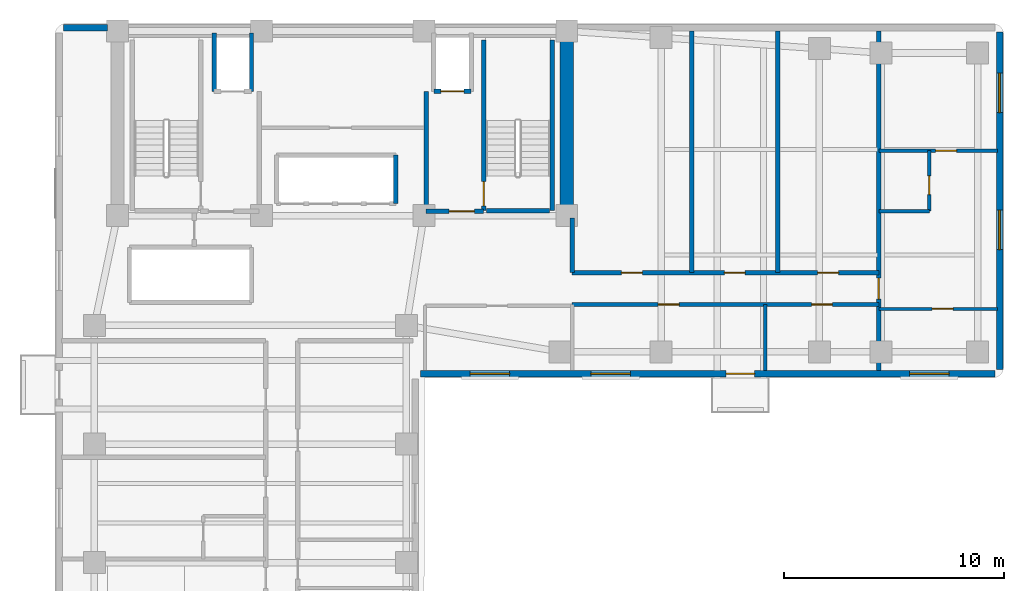
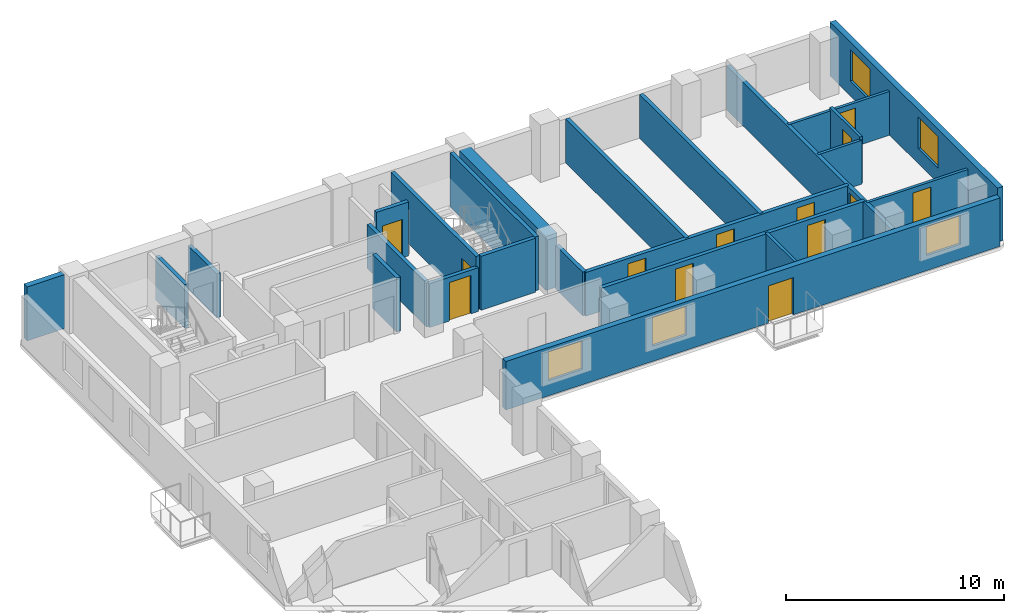
# One storey, part 4 of 7: 24 walls, 13 doors, 5 windows, 18 openings.
"""IFC4 building model written with IfcOpenShell, lengths in metres."""

from ifc_helpers import new_model, si_unit, direction, frame, frame_2d, origin, place, context, subcontext, project, spatial, rectangle, extrude, material, layer, layer_set, type_object, element, fill, save


model = new_model("IFC4")

# Units and contexts
model_context = context("Model", 3, precision=1e-05, world=origin(), true_north=direction((0.0, 1.0)))
body_context = subcontext(model_context, "Body", "Model", "MODEL_VIEW")
ifc_project = project(units=[si_unit("LENGTHUNIT", "METRE"), si_unit("AREAUNIT", "SQUARE_METRE"), si_unit("VOLUMEUNIT", "CUBIC_METRE"), si_unit("PLANEANGLEUNIT", "RADIAN"), si_unit("MASSUNIT", "GRAM", prefix="KILO")], contexts=[model_context])

# Site, building, storey
site_placement = place(None, origin())
site = spatial("IfcSite", under=ifc_project, at=site_placement, CompositionType="ELEMENT")
building_placement = place(site_placement, origin())
building = spatial("IfcBuilding", under=site, at=building_placement, Name="Kuzgunbayir Cultural Tower", CompositionType="ELEMENT")
storey_placement = place(building_placement, frame((0.0, 0.0, 136.199951171875)))
storey = spatial("IfcBuildingStorey", under=building, at=storey_placement, Name="L39", CompositionType="ELEMENT", Elevation=136.199951171875)

# Walls
ifc_material_1 = material(Name="Concrete C60/75", Category="concrete")
ifc_layer_1 = layer(ifc_material_1, 0.60009765625)
ifc_layer_set_1 = layer_set([ifc_layer_1], Name="Concrete C60/75")
wall_type_1 = type_object("IfcWallType", Name="WAL-CORE-600", PredefinedType="SHEAR", material=ifc_layer_set_1)
wall_1_placement = place(storey_placement, frame((26.89990234375, 33.800048828125, 0.0), z_axis=(0.0, 0.0, 1.0), x_axis=(0.0, 1.0, 0.0)))
element("IfcWall", 1, at=wall_1_placement, inside=storey, type_object=wall_type_1, Name="L39 T1 Core East Shear Wall", PredefinedType="SHEAR", context=body_context, shape_type="SweptSolid", body=[
    extrude(rectangle(XDim=7.949951171875, YDim=0.60009765625, at=frame_2d((3.97509765625, 0.0))), origin(), (0.0, 0.0, 1.0), 3.02001953125),
])
ifc_material_2 = material(Name="Anatolian Cream Limestone", Category="masonry")
ifc_layer_2 = layer(ifc_material_2, 0.300048828125)
ifc_layer_set_2 = layer_set([ifc_layer_2], Name="Anatolian Cream Limestone")
wall_type_2 = type_object("IfcWallType", Name="WAL-EXT-STONE-300", PredefinedType="STANDARD", material=ifc_layer_set_2)
wall_2_placement = place(storey_placement, frame((6.0, 42.35009765625, 0.0), z_axis=(0.0, 0.0, 1.0), x_axis=(-1.0, 0.0, 0.0)))
element("IfcWall", 2, at=wall_2_placement, inside=storey, type_object=wall_type_2, Name="L39 Core North-West Spandrel Link", PredefinedType="STANDARD", context=body_context, shape_type="SweptSolid", body=[
    extrude(rectangle(XDim=2.0, YDim=0.300048828125, at=frame_2d((1.0, 0.0))), origin(), (0.0, 0.0, 1.0), 3.02001953125),
])

# Wall, openings, door, windows
wall_3_placement = place(storey_placement, frame((20.25, 26.60009765625, 0.0), z_axis=(0.0, 0.0, 1.0), x_axis=(1.0, 0.0, 0.0)))
wall_3 = element("IfcWall", 3, at=wall_3_placement, inside=storey, type_object=wall_type_2, Name="L39 Wing B South Limestone Wall", PredefinedType="STANDARD", context=body_context, shape_type="SweptSolid", body=[
    extrude(rectangle(XDim=26.14990234375, YDim=0.300048828125, at=frame_2d((13.074951171875, 0.0))), origin(), (0.0, 0.0, 1.0), 2.7099609375),
])
opening_1_placement = place(wall_3_placement, frame((13.89990234375, 0.0, 0.0)))
opening_1 = element("IfcOpeningElement", 4, at=opening_1_placement, cuts=wall_3, Name="Opening BD-13", PredefinedType="OPENING", context=body_context, shape_type="SweptSolid", body=[
    extrude(rectangle(XDim=1.300048828125, YDim=2.080078125, at=frame_2d((0.64990234375, 1.0400390625))), frame((0.0, 0.16015625, 0.0), z_axis=(0.0, -1.0, 0.0), x_axis=(1.0, 0.0, 0.0)), (0.0, 0.0, 1.0), 0.320068359375),
])
opening_2_placement = place(wall_3_placement, frame((2.25, 0.0, 0.85009765625)))
opening_2 = element("IfcOpeningElement", 5, at=opening_2_placement, cuts=wall_3, Name="Opening WH-18", PredefinedType="OPENING", context=body_context, shape_type="SweptSolid", body=[
    extrude(rectangle(XDim=1.800048828125, YDim=1.610107421875, at=frame_2d((0.89990234375, 0.80517578125))), frame((0.0, 0.16015625, 0.0), z_axis=(0.0, -1.0, 0.0), x_axis=(1.0, 0.0, 0.0)), (0.0, 0.0, 1.0), 0.320068359375),
])
opening_3_placement = place(wall_3_placement, frame((7.75, 0.0, 0.85009765625)))
opening_3 = element("IfcOpeningElement", 6, at=opening_3_placement, cuts=wall_3, Name="Opening WH-18", PredefinedType="OPENING", context=body_context, shape_type="SweptSolid", body=[
    extrude(rectangle(XDim=1.800048828125, YDim=1.610107421875, at=frame_2d((0.89990234375, 0.80517578125))), frame((0.0, 0.16015625, 0.0), z_axis=(0.0, -1.0, 0.0), x_axis=(1.0, 0.0, 0.0)), (0.0, 0.0, 1.0), 0.320068359375),
])
opening_4_placement = place(wall_3_placement, frame((22.25, 0.0, 0.85009765625)))
opening_4 = element("IfcOpeningElement", 7, at=opening_4_placement, cuts=wall_3, Name="Opening WH-18", PredefinedType="OPENING", context=body_context, shape_type="SweptSolid", body=[
    extrude(rectangle(XDim=1.800048828125, YDim=1.610107421875, at=frame_2d((0.89990234375, 0.80517578125))), frame((0.0, 0.16015625, 0.0), z_axis=(0.0, -1.0, 0.0), x_axis=(1.0, 0.0, 0.0)), (0.0, 0.0, 1.0), 0.320068359375),
])
ifc_material_3 = material(Name="Thermally Broken Glazed Aluminium", Category="aluminium")
door_type_1 = type_object("IfcDoorType", Name="DR-BALCONY-135", OperationType="SLIDING_TO_LEFT", PredefinedType="DOOR", material=ifc_material_3)
door_1_placement = place(opening_1_placement, origin())
door_1 = element("IfcDoor", 8, at=door_1_placement, inside=storey, type_object=door_type_1, Name="L39 South Balcony Sliding Door BAL-L39-WB2", OperationType="SLIDING_TO_LEFT", OverallHeight=2.080078125, OverallWidth=1.300048828125, PredefinedType="DOOR", context=body_context, shape_type="SweptSolid", body=[
    extrude(rectangle(XDim=1.300048828125, YDim=2.080078125, at=frame_2d((0.64990234375, 1.0400390625))), frame((0.0, 0.02490234375, 0.0), z_axis=(0.0, -1.0, 0.0), x_axis=(1.0, 0.0, 0.0)), (0.0, 0.0, 1.0), 0.050048828125),
])
fill(opening_1, door_1)
ifc_material_4 = material(Name="Solar-Control Triple Glazing", Category="glass")
window_type = type_object("IfcWindowType", Name="WIN-HOTEL-18", PartitioningType="SINGLE_PANEL", PredefinedType="WINDOW", material=ifc_material_4)
window_1_placement = place(opening_2_placement, origin())
window_1 = element("IfcWindow", 9, at=window_1_placement, inside=storey, type_object=window_type, Name="L39 WBS Facade Window 10", OverallHeight=1.610107421875, OverallWidth=1.800048828125, PartitioningType="SINGLE_PANEL", PredefinedType="WINDOW", context=body_context, shape_type="SweptSolid", body=[
    extrude(rectangle(XDim=1.800048828125, YDim=1.610107421875, at=frame_2d((0.89990234375, 0.80517578125))), frame((0.0, 0.030029296875, 0.0), z_axis=(0.0, -1.0, 0.0), x_axis=(1.0, 0.0, 0.0)), (0.0, 0.0, 1.0), 0.06005859375),
])
fill(opening_2, window_1)
window_2_placement = place(opening_3_placement, origin())
window_2 = element("IfcWindow", 10, at=window_2_placement, inside=storey, type_object=window_type, Name="L39 WBS Facade Window 11", OverallHeight=1.610107421875, OverallWidth=1.800048828125, PartitioningType="SINGLE_PANEL", PredefinedType="WINDOW", context=body_context, shape_type="SweptSolid", body=[
    extrude(rectangle(XDim=1.800048828125, YDim=1.610107421875, at=frame_2d((0.89990234375, 0.80517578125))), frame((0.0, 0.030029296875, 0.0), z_axis=(0.0, -1.0, 0.0), x_axis=(1.0, 0.0, 0.0)), (0.0, 0.0, 1.0), 0.06005859375),
])
fill(opening_3, window_2)
window_3_placement = place(opening_4_placement, origin())
window_3 = element("IfcWindow", 11, at=window_3_placement, inside=storey, type_object=window_type, Name="L39 WBS Facade Window 12", OverallHeight=1.610107421875, OverallWidth=1.800048828125, PartitioningType="SINGLE_PANEL", PredefinedType="WINDOW", context=body_context, shape_type="SweptSolid", body=[
    extrude(rectangle(XDim=1.800048828125, YDim=1.610107421875, at=frame_2d((0.89990234375, 0.80517578125))), frame((0.0, 0.030029296875, 0.0), z_axis=(0.0, -1.0, 0.0), x_axis=(1.0, 0.0, 0.0)), (0.0, 0.0, 1.0), 0.06005859375),
])
fill(opening_4, window_3)

# Wall, openings, windows
wall_4_placement = place(storey_placement, frame((46.60009765625, 26.800048828125, 0.0), z_axis=(0.0, 0.0, 1.0), x_axis=(0.0, 1.0, 0.0)))
wall_4 = element("IfcWall", 12, at=wall_4_placement, inside=storey, type_object=wall_type_2, Name="L39 Wing B East Limestone Wall", PredefinedType="STANDARD", context=body_context, shape_type="SweptSolid", body=[
    extrude(rectangle(XDim=15.349853515625, YDim=0.300048828125, at=frame_2d((7.6748046875, 0.0))), origin(), (0.0, 0.0, 1.0), 3.02001953125),
])
opening_5_placement = place(wall_4_placement, frame((5.449951171875, 0.0, 0.85009765625)))
opening_5 = element("IfcOpeningElement", 13, at=opening_5_placement, cuts=wall_4, Name="Opening WH-18", PredefinedType="OPENING", context=body_context, shape_type="SweptSolid", body=[
    extrude(rectangle(XDim=1.800048828125, YDim=1.75, at=frame_2d((0.89990234375, 0.875))), frame((0.0, 0.16015625, 0.0), z_axis=(0.0, -1.0, 0.0), x_axis=(1.0, 0.0, 0.0)), (0.0, 0.0, 1.0), 0.320068359375),
])
opening_6_placement = place(wall_4_placement, frame((11.679931640625, 0.0, 0.85009765625)))
opening_6 = element("IfcOpeningElement", 14, at=opening_6_placement, cuts=wall_4, Name="Opening WH-18", PredefinedType="OPENING", context=body_context, shape_type="SweptSolid", body=[
    extrude(rectangle(XDim=1.800048828125, YDim=1.75, at=frame_2d((0.89990234375, 0.875))), frame((0.0, 0.16015625, 0.0), z_axis=(0.0, -1.0, 0.0), x_axis=(1.0, 0.0, 0.0)), (0.0, 0.0, 1.0), 0.320068359375),
])
window_4_placement = place(opening_5_placement, origin())
window_4 = element("IfcWindow", 15, at=window_4_placement, inside=storey, type_object=window_type, Name="L39 WBE Facade Window 4", OverallHeight=1.75, OverallWidth=1.800048828125, PartitioningType="SINGLE_PANEL", PredefinedType="WINDOW", context=body_context, shape_type="SweptSolid", body=[
    extrude(rectangle(XDim=1.800048828125, YDim=1.75, at=frame_2d((0.89990234375, 0.875))), frame((0.0, 0.030029296875, 0.0), z_axis=(0.0, -1.0, 0.0), x_axis=(1.0, 0.0, 0.0)), (0.0, 0.0, 1.0), 0.06005859375),
])
fill(opening_5, window_4)
window_5_placement = place(opening_6_placement, origin())
window_5 = element("IfcWindow", 16, at=window_5_placement, inside=storey, type_object=window_type, Name="L39 WBE Facade Window 5", OverallHeight=1.75, OverallWidth=1.800048828125, PartitioningType="SINGLE_PANEL", PredefinedType="WINDOW", context=body_context, shape_type="SweptSolid", body=[
    extrude(rectangle(XDim=1.800048828125, YDim=1.75, at=frame_2d((0.89990234375, 0.875))), frame((0.0, 0.030029296875, 0.0), z_axis=(0.0, -1.0, 0.0), x_axis=(1.0, 0.0, 0.0)), (0.0, 0.0, 1.0), 0.06005859375),
])
fill(opening_6, window_5)

# Wall, opening, door
ifc_material_5 = material(Name="Acoustic Double-Stud Drywall", Category="gypsum")
ifc_layer_3 = layer(ifc_material_5, 0.14990234375)
ifc_layer_set_3 = layer_set([ifc_layer_3], Name="Acoustic Double-Stud Drywall")
wall_type_3 = type_object("IfcWallType", Name="WAL-PART-ACOUSTIC-150", PredefinedType="PARTITIONING", material=ifc_layer_set_3)
wall_5_placement = place(storey_placement, frame((41.10009765625, 36.75, 0.0), z_axis=(0.0, 0.0, 1.0), x_axis=(1.0, 0.0, 0.0)))
wall_5 = element("IfcWall", 17, at=wall_5_placement, inside=storey, type_object=wall_type_3, Name="L39 Corner Suite Bedroom Wall", PredefinedType="PARTITIONING", context=body_context, shape_type="SweptSolid", body=[
    extrude(rectangle(XDim=5.39990234375, YDim=0.14990234375, at=frame_2d((2.699951171875, 0.0))), origin(), (0.0, 0.0, 1.0), 2.449951171875),
])
opening_7_placement = place(wall_5_placement, frame((2.590087890625, 0.0, 0.0)))
opening_7 = element("IfcOpeningElement", 18, at=opening_7_placement, cuts=wall_5, Name="Opening DI-90", PredefinedType="OPENING", context=body_context, shape_type="SweptSolid", body=[
    extrude(rectangle(XDim=0.949951171875, YDim=2.14990234375, at=frame_2d((0.47509765625, 1.074951171875))), frame((0.0, 0.0849609375, 0.0), z_axis=(0.0, -1.0, 0.0), x_axis=(1.0, 0.0, 0.0)), (0.0, 0.0, 1.0), 0.169921875),
])
ifc_material_6 = material(Name="Veneered Oak Single Leaf", Category="wood")
door_type_2 = type_object("IfcDoorType", Name="DR-INT-90", OperationType="NOTDEFINED", PredefinedType="DOOR", material=ifc_material_6)
door_2_placement = place(opening_7_placement, origin())
door_2 = element("IfcDoor", 19, at=door_2_placement, inside=storey, type_object=door_type_2, Name="L39 Corner Bedroom Door", OperationType="SINGLE_SWING_LEFT", OverallHeight=2.14990234375, OverallWidth=0.949951171875, PredefinedType="DOOR", context=body_context, shape_type="SweptSolid", body=[
    extrude(rectangle(XDim=0.949951171875, YDim=2.14990234375, at=frame_2d((0.47509765625, 1.074951171875))), frame((0.0, 0.02490234375, 0.0), z_axis=(0.0, -1.0, 0.0), x_axis=(1.0, 0.0, 0.0)), (0.0, 0.0, 1.0), 0.050048828125),
])
fill(opening_7, door_2)

# Walls
wall_6_placement = place(storey_placement, frame((35.93994140625, 26.75, 0.0), z_axis=(0.0, 0.0, 1.0), x_axis=(0.0, 1.0, 0.0)))
element("IfcWall", 20, at=wall_6_placement, inside=storey, type_object=wall_type_3, Name="L39 Wing B South Divider 1", PredefinedType="PARTITIONING", context=body_context, shape_type="SweptSolid", body=[
    extrude(rectangle(XDim=3.0, YDim=0.14990234375, at=frame_2d((1.5, 0.0))), origin(), (0.0, 0.0, 1.0), 2.449951171875),
])
ifc_material_7 = material(Name="Aerated Concrete Blockwork", Category="masonry")
ifc_layer_4 = layer(ifc_material_7, 0.199951171875)
ifc_layer_set_4 = layer_set([ifc_layer_4], Name="Aerated Concrete Blockwork")
wall_type_4 = type_object("IfcWallType", Name="WAL-PART-FIRE-200", PredefinedType="PARTITIONING", material=ifc_layer_set_4)
wall_7_placement = place(storey_placement, frame((20.5, 34.0, 0.0), z_axis=(0.0, 0.0, 1.0), x_axis=(0.0, 1.0, 0.0)))
element("IfcWall", 21, at=wall_7_placement, inside=storey, type_object=wall_type_4, Name="L39 FFL-2 Lobby West Fire Wall", PredefinedType="PARTITIONING", context=body_context, shape_type="SweptSolid", body=[
    extrude(rectangle(XDim=5.449951171875, YDim=0.199951171875, at=frame_2d((2.72509765625, 0.0))), origin(), (0.0, 0.0, 1.0), 2.449951171875),
])

# Wall, opening, door
wall_8_placement = place(storey_placement, frame((20.5, 34.0, 0.0), z_axis=(0.0, 0.0, 1.0), x_axis=(1.0, 0.0, 0.0)))
wall_8 = element("IfcWall", 22, at=wall_8_placement, inside=storey, type_object=wall_type_4, Name="L39 FFL-2 Lobby South Fire Wall", PredefinedType="PARTITIONING", context=body_context, shape_type="SweptSolid", body=[
    extrude(rectangle(XDim=2.60009765625, YDim=0.199951171875, at=frame_2d((1.300048828125, 0.0))), origin(), (0.0, 0.0, 1.0), 2.449951171875),
])
opening_8_placement = place(wall_8_placement, frame((1.050048828125, 0.0, 0.0)))
opening_8 = element("IfcOpeningElement", 23, at=opening_8_placement, cuts=wall_8, Name="Opening DR-FFL-90", PredefinedType="OPENING", context=body_context, shape_type="SweptSolid", body=[
    extrude(rectangle(XDim=1.14990234375, YDim=2.14990234375, at=frame_2d((0.574951171875, 1.074951171875))), frame((0.0, 0.10986328125, 0.0), z_axis=(0.0, -1.0, 0.0), x_axis=(1.0, 0.0, 0.0)), (0.0, 0.0, 1.0), 0.219970703125),
])
ifc_material_8 = material(Name="Steel S355J2", Category="steel")
door_type_3 = type_object("IfcDoorType", Name="DR-FFL-90", OperationType="NOTDEFINED", PredefinedType="DOOR", material=ifc_material_8)
door_3_placement = place(opening_8_placement, origin())
door_3 = element("IfcDoor", 24, at=door_3_placement, inside=storey, type_object=door_type_3, Name="L39 Firefighting Lobby 2 Door", OperationType="SINGLE_SWING_RIGHT", OverallHeight=2.14990234375, OverallWidth=1.14990234375, PredefinedType="DOOR", context=body_context, shape_type="SweptSolid", body=[
    extrude(rectangle(XDim=1.14990234375, YDim=2.14990234375, at=frame_2d((0.574951171875, 1.074951171875))), frame((0.0, 0.02490234375, 0.0), z_axis=(0.0, -1.0, 0.0), x_axis=(1.0, 0.0, 0.0)), (0.0, 0.0, 1.0), 0.050048828125),
])
fill(opening_8, door_3)

# Wall, openings, doors
wall_9_placement = place(storey_placement, frame((27.14990234375, 29.75, 0.0), z_axis=(0.0, 0.0, 1.0), x_axis=(1.0, 0.0, 0.0)))
wall_9 = element("IfcWall", 25, at=wall_9_placement, inside=storey, type_object=wall_type_4, Name="L39 Wing B Hotel Corridor South Wall", PredefinedType="PARTITIONING", context=body_context, shape_type="SweptSolid", body=[
    extrude(rectangle(XDim=13.9501953125, YDim=0.199951171875, at=frame_2d((6.97509765625, 0.0))), origin(), (0.0, 0.0, 1.0), 2.449951171875),
])
opening_9_placement = place(wall_9_placement, frame((3.909912109375, 0.0, 0.0)))
opening_9 = element("IfcOpeningElement", 26, at=opening_9_placement, cuts=wall_9, Name="Opening DI-90", PredefinedType="OPENING", context=body_context, shape_type="SweptSolid", body=[
    extrude(rectangle(XDim=0.949951171875, YDim=2.14990234375, at=frame_2d((0.47509765625, 1.074951171875))), frame((0.0, 0.10986328125, 0.0), z_axis=(0.0, -1.0, 0.0), x_axis=(1.0, 0.0, 0.0)), (0.0, 0.0, 1.0), 0.219970703125),
])
opening_10_placement = place(wall_9_placement, frame((10.889892578125, 0.0, 0.0)))
opening_10 = element("IfcOpeningElement", 27, at=opening_10_placement, cuts=wall_9, Name="Opening DI-90", PredefinedType="OPENING", context=body_context, shape_type="SweptSolid", body=[
    extrude(rectangle(XDim=0.949951171875, YDim=2.14990234375, at=frame_2d((0.47509765625, 1.074951171875))), frame((0.0, 0.10986328125, 0.0), z_axis=(0.0, -1.0, 0.0), x_axis=(1.0, 0.0, 0.0)), (0.0, 0.0, 1.0), 0.219970703125),
])
door_4_placement = place(opening_9_placement, origin())
door_4 = element("IfcDoor", 28, at=door_4_placement, inside=storey, type_object=door_type_2, Name="L39 Art Publication Salon B1 Door", OperationType="SINGLE_SWING_RIGHT", OverallHeight=2.14990234375, OverallWidth=0.949951171875, PredefinedType="DOOR", context=body_context, shape_type="SweptSolid", body=[
    extrude(rectangle(XDim=0.949951171875, YDim=2.14990234375, at=frame_2d((0.47509765625, 1.074951171875))), frame((0.0, 0.02490234375, 0.0), z_axis=(0.0, -1.0, 0.0), x_axis=(1.0, 0.0, 0.0)), (0.0, 0.0, 1.0), 0.050048828125),
])
fill(opening_9, door_4)
door_5_placement = place(opening_10_placement, origin())
door_5 = element("IfcDoor", 29, at=door_5_placement, inside=storey, type_object=door_type_2, Name="L39 Art Publication Salon B2 Door", OperationType="SINGLE_SWING_LEFT", OverallHeight=2.14990234375, OverallWidth=0.949951171875, PredefinedType="DOOR", context=body_context, shape_type="SweptSolid", body=[
    extrude(rectangle(XDim=0.949951171875, YDim=2.14990234375, at=frame_2d((0.47509765625, 1.074951171875))), frame((0.0, 0.02490234375, 0.0), z_axis=(0.0, -1.0, 0.0), x_axis=(1.0, 0.0, 0.0)), (0.0, 0.0, 1.0), 0.050048828125),
])
fill(opening_10, door_5)

wall_10_placement = place(storey_placement, frame((27.14990234375, 31.199951171875, 0.0), z_axis=(0.0, 0.0, 1.0), x_axis=(1.0, 0.0, 0.0)))
wall_10 = element("IfcWall", 30, at=wall_10_placement, inside=storey, type_object=wall_type_4, Name="L39 Wing B Hotel Corridor North Wall", PredefinedType="PARTITIONING", context=body_context, shape_type="SweptSolid", body=[
    extrude(rectangle(XDim=13.9501953125, YDim=0.199951171875, at=frame_2d((6.97509765625, 0.0))), origin(), (0.0, 0.0, 1.0), 2.449951171875),
])
opening_11_placement = place(wall_10_placement, frame((2.239990234375, 0.0, 0.0)))
opening_11 = element("IfcOpeningElement", 31, at=opening_11_placement, cuts=wall_10, Name="Opening DI-90", PredefinedType="OPENING", context=body_context, shape_type="SweptSolid", body=[
    extrude(rectangle(XDim=0.949951171875, YDim=2.14990234375, at=frame_2d((0.47509765625, 1.074951171875))), frame((0.0, 0.10986328125, 0.0), z_axis=(0.0, -1.0, 0.0), x_axis=(1.0, 0.0, 0.0)), (0.0, 0.0, 1.0), 0.219970703125),
])
opening_12_placement = place(wall_10_placement, frame((6.919921875, 0.0, 0.0)))
opening_12 = element("IfcOpeningElement", 32, at=opening_12_placement, cuts=wall_10, Name="Opening DI-90", PredefinedType="OPENING", context=body_context, shape_type="SweptSolid", body=[
    extrude(rectangle(XDim=0.949951171875, YDim=2.14990234375, at=frame_2d((0.47509765625, 1.074951171875))), frame((0.0, 0.10986328125, 0.0), z_axis=(0.0, -1.0, 0.0), x_axis=(1.0, 0.0, 0.0)), (0.0, 0.0, 1.0), 0.219970703125),
])
opening_13_placement = place(wall_10_placement, frame((11.169921875, 0.0, 0.0)))
opening_13 = element("IfcOpeningElement", 33, at=opening_13_placement, cuts=wall_10, Name="Opening DI-90", PredefinedType="OPENING", context=body_context, shape_type="SweptSolid", body=[
    extrude(rectangle(XDim=0.949951171875, YDim=2.14990234375, at=frame_2d((0.47509765625, 1.074951171875))), frame((0.0, 0.10986328125, 0.0), z_axis=(0.0, -1.0, 0.0), x_axis=(1.0, 0.0, 0.0)), (0.0, 0.0, 1.0), 0.219970703125),
])
door_6_placement = place(opening_11_placement, origin())
door_6 = element("IfcDoor", 34, at=door_6_placement, inside=storey, type_object=door_type_2, Name="L39 North Art Publication Salon 1 Door", OperationType="SINGLE_SWING_RIGHT", OverallHeight=2.14990234375, OverallWidth=0.949951171875, PredefinedType="DOOR", context=body_context, shape_type="SweptSolid", body=[
    extrude(rectangle(XDim=0.949951171875, YDim=2.14990234375, at=frame_2d((0.47509765625, 1.074951171875))), frame((0.0, 0.02490234375, 0.0), z_axis=(0.0, -1.0, 0.0), x_axis=(1.0, 0.0, 0.0)), (0.0, 0.0, 1.0), 0.050048828125),
])
fill(opening_11, door_6)
door_7_placement = place(opening_12_placement, origin())
door_7 = element("IfcDoor", 35, at=door_7_placement, inside=storey, type_object=door_type_2, Name="L39 North Curatorial Office 2 Door", OperationType="SINGLE_SWING_LEFT", OverallHeight=2.14990234375, OverallWidth=0.949951171875, PredefinedType="DOOR", context=body_context, shape_type="SweptSolid", body=[
    extrude(rectangle(XDim=0.949951171875, YDim=2.14990234375, at=frame_2d((0.47509765625, 1.074951171875))), frame((0.0, 0.02490234375, 0.0), z_axis=(0.0, -1.0, 0.0), x_axis=(1.0, 0.0, 0.0)), (0.0, 0.0, 1.0), 0.050048828125),
])
fill(opening_12, door_7)
door_8_placement = place(opening_13_placement, origin())
door_8 = element("IfcDoor", 36, at=door_8_placement, inside=storey, type_object=door_type_2, Name="L39 North Seminar Boardroom 3 Door", OperationType="SINGLE_SWING_RIGHT", OverallHeight=2.14990234375, OverallWidth=0.949951171875, PredefinedType="DOOR", context=body_context, shape_type="SweptSolid", body=[
    extrude(rectangle(XDim=0.949951171875, YDim=2.14990234375, at=frame_2d((0.47509765625, 1.074951171875))), frame((0.0, 0.02490234375, 0.0), z_axis=(0.0, -1.0, 0.0), x_axis=(1.0, 0.0, 0.0)), (0.0, 0.0, 1.0), 0.050048828125),
])
fill(opening_13, door_8)

# Wall
wall_11_placement = place(storey_placement, frame((27.14990234375, 31.199951171875, 0.0), z_axis=(0.0, 0.0, 1.0), x_axis=(0.0, 1.0, 0.0)))
element("IfcWall", 37, at=wall_11_placement, inside=storey, type_object=wall_type_4, Name="L39 Wing B North Core Closure Wall", PredefinedType="PARTITIONING", context=body_context, shape_type="SweptSolid", body=[
    extrude(rectangle(XDim=2.47998046875, YDim=0.199951171875, at=frame_2d((1.239990234375, 0.0))), origin(), (0.0, 0.0, 1.0), 2.449951171875),
])

# Wall, opening, door
wall_12_placement = place(storey_placement, frame((41.10009765625, 26.75, 0.0), z_axis=(0.0, 0.0, 1.0), x_axis=(0.0, 1.0, 0.0)))
wall_12 = element("IfcWall", 38, at=wall_12_placement, inside=storey, type_object=wall_type_4, Name="L39 Wing B East Suite Wall", PredefinedType="PARTITIONING", context=body_context, shape_type="SweptSolid", body=[
    extrude(rectangle(XDim=15.449951171875, YDim=0.199951171875, at=frame_2d((7.72509765625, 0.0))), origin(), (0.0, 0.0, 1.0), 2.449951171875),
])
opening_14_placement = place(wall_12_placement, frame((3.25, 0.0, 0.0)))
opening_14 = element("IfcOpeningElement", 39, at=opening_14_placement, cuts=wall_12, Name="Opening DR-APT-60", PredefinedType="OPENING", context=body_context, shape_type="SweptSolid", body=[
    extrude(rectangle(XDim=0.949951171875, YDim=2.14990234375, at=frame_2d((0.47509765625, 1.074951171875))), frame((0.0, 0.10986328125, 0.0), z_axis=(0.0, -1.0, 0.0), x_axis=(1.0, 0.0, 0.0)), (0.0, 0.0, 1.0), 0.219970703125),
])
ifc_material_9 = material(Name="Acoustic Fire Timber Leaf", Category="wood")
door_type_4 = type_object("IfcDoorType", Name="DR-APT-60", OperationType="NOTDEFINED", PredefinedType="DOOR", material=ifc_material_9)
door_9_placement = place(opening_14_placement, origin())
door_9 = element("IfcDoor", 40, at=door_9_placement, inside=storey, type_object=door_type_4, Name="L39 Corner Suite Entrance", OperationType="SINGLE_SWING_RIGHT", OverallHeight=2.14990234375, OverallWidth=0.949951171875, PredefinedType="DOOR", context=body_context, shape_type="SweptSolid", body=[
    extrude(rectangle(XDim=0.949951171875, YDim=2.14990234375, at=frame_2d((0.47509765625, 1.074951171875))), frame((0.0, 0.02490234375, 0.0), z_axis=(0.0, -1.0, 0.0), x_axis=(1.0, 0.0, 0.0)), (0.0, 0.0, 1.0), 0.050048828125),
])
fill(opening_14, door_9)

# Walls
for number, where, z_axis, x_axis, name in (
    (41, (32.590087890625, 31.199951171875, 0.0), (0.0, 0.0, 1.0), (0.0, 1.0, 0.0), "L39 Wing B North Party Wall 1"),
    (42, (36.5, 31.199951171875, 0.0), (0.0, 0.0, 1.0), (0.0, 1.0, 0.0), "L39 Wing B North Party Wall 2"),
):
    element("IfcWall", number, at=place(storey_placement, frame(where, z_axis=z_axis, x_axis=x_axis)), inside=storey, type_object=wall_type_4, Name=name, PredefinedType="PARTITIONING", context=body_context, shape_type="SweptSolid", body=[
        extrude(rectangle(XDim=11.0, YDim=0.199951171875, at=frame_2d((5.5, 0.0))), origin(), (0.0, 0.0, 1.0), 2.449951171875),
    ])

# Wall, opening, door
ifc_material_10 = material(Name="Moisture-Resistant Tile Partition", Category="gypsum")
ifc_layer_5 = layer(ifc_material_10, 0.14990234375)
ifc_layer_set_5 = layer_set([ifc_layer_5], Name="Moisture-Resistant Tile Partition")
wall_type_5 = type_object("IfcWallType", Name="WAL-PART-WET-150", PredefinedType="PARTITIONING", material=ifc_layer_set_5)
wall_13_placement = place(storey_placement, frame((41.10009765625, 29.550048828125, 0.0), z_axis=(0.0, 0.0, 1.0), x_axis=(1.0, 0.0, 0.0)))
wall_13 = element("IfcWall", 43, at=wall_13_placement, inside=storey, type_object=wall_type_5, Name="L39 Corner Suite Kitchen Wall", PredefinedType="PARTITIONING", context=body_context, shape_type="SweptSolid", body=[
    extrude(rectangle(XDim=5.39990234375, YDim=0.14990234375, at=frame_2d((2.699951171875, 0.0))), origin(), (0.0, 0.0, 1.0), 2.449951171875),
])
opening_15_placement = place(wall_13_placement, frame((2.429931640625, 0.0, 0.0)))
opening_15 = element("IfcOpeningElement", 44, at=opening_15_placement, cuts=wall_13, Name="Opening DI-90", PredefinedType="OPENING", context=body_context, shape_type="SweptSolid", body=[
    extrude(rectangle(XDim=0.949951171875, YDim=2.14990234375, at=frame_2d((0.47509765625, 1.074951171875))), frame((0.0, 0.0849609375, 0.0), z_axis=(0.0, -1.0, 0.0), x_axis=(1.0, 0.0, 0.0)), (0.0, 0.0, 1.0), 0.169921875),
])
door_10_placement = place(opening_15_placement, origin())
door_10 = element("IfcDoor", 45, at=door_10_placement, inside=storey, type_object=door_type_2, Name="L39 Corner Suite Kitchen Door", OperationType="SINGLE_SWING_LEFT", OverallHeight=2.14990234375, OverallWidth=0.949951171875, PredefinedType="DOOR", context=body_context, shape_type="SweptSolid", body=[
    extrude(rectangle(XDim=0.949951171875, YDim=2.14990234375, at=frame_2d((0.47509765625, 1.074951171875))), frame((0.0, 0.02490234375, 0.0), z_axis=(0.0, -1.0, 0.0), x_axis=(1.0, 0.0, 0.0)), (0.0, 0.0, 1.0), 0.050048828125),
])
fill(opening_15, door_10)

# Wall
wall_14_placement = place(storey_placement, frame((41.10009765625, 34.0, 0.0), z_axis=(0.0, 0.0, 1.0), x_axis=(1.0, 0.0, 0.0)))
element("IfcWall", 46, at=wall_14_placement, inside=storey, type_object=wall_type_5, Name="L39 Corner Suite Bath South Wall", PredefinedType="PARTITIONING", context=body_context, shape_type="SweptSolid", body=[
    extrude(rectangle(XDim=2.2998046875, YDim=0.14990234375, at=frame_2d((1.14990234375, 0.0))), origin(), (0.0, 0.0, 1.0), 2.449951171875),
])

# Wall, opening, door
wall_15_placement = place(storey_placement, frame((43.39990234375, 34.0, 0.0), z_axis=(0.0, 0.0, 1.0), x_axis=(0.0, 1.0, 0.0)))
wall_15 = element("IfcWall", 47, at=wall_15_placement, inside=storey, type_object=wall_type_5, Name="L39 Corner Suite Bath East Wall", PredefinedType="PARTITIONING", context=body_context, shape_type="SweptSolid", body=[
    extrude(rectangle(XDim=2.75, YDim=0.14990234375, at=frame_2d((1.375, 0.0))), origin(), (0.0, 0.0, 1.0), 2.610107421875),
])
opening_16_placement = place(wall_15_placement, frame((0.75, 0.0, 0.0)))
opening_16 = element("IfcOpeningElement", 48, at=opening_16_placement, cuts=wall_15, Name="Opening DW-85", PredefinedType="OPENING", context=body_context, shape_type="SweptSolid", body=[
    extrude(rectangle(XDim=0.85009765625, YDim=2.10009765625, at=frame_2d((0.425048828125, 1.050048828125))), frame((0.0, 0.0849609375, 0.0), z_axis=(0.0, -1.0, 0.0), x_axis=(1.0, 0.0, 0.0)), (0.0, 0.0, 1.0), 0.169921875),
])
ifc_material_11 = material(Name="Laminate Moisture-Resistant Leaf", Category="wood")
door_type_5 = type_object("IfcDoorType", Name="DR-WET-85", OperationType="NOTDEFINED", PredefinedType="DOOR", material=ifc_material_11)
door_11_placement = place(opening_16_placement, origin())
door_11 = element("IfcDoor", 49, at=door_11_placement, inside=storey, type_object=door_type_5, Name="L39 Corner Suite Bathroom Door", OperationType="SINGLE_SWING_RIGHT", OverallHeight=2.10009765625, OverallWidth=0.85009765625, PredefinedType="DOOR", context=body_context, shape_type="SweptSolid", body=[
    extrude(rectangle(XDim=0.85009765625, YDim=2.10009765625, at=frame_2d((0.425048828125, 1.050048828125))), frame((0.0, 0.02490234375, 0.0), z_axis=(0.0, -1.0, 0.0), x_axis=(1.0, 0.0, 0.0)), (0.0, 0.0, 1.0), 0.050048828125),
])
fill(opening_16, door_11)

ifc_material_12 = material(Name="Concrete C40/50", Category="concrete")
ifc_layer_6 = layer(ifc_material_12, 0.199951171875)
ifc_layer_set_6 = layer_set([ifc_layer_6], Name="Concrete C40/50")
wall_type_6 = type_object("IfcWallType", Name="WAL-SHAFT-200", PredefinedType="MOVABLE", material=ifc_layer_set_6)
wall_16_placement = place(storey_placement, frame((20.85009765625, 39.449951171875, 0.0), z_axis=(0.0, 0.0, 1.0), x_axis=(1.0, 0.0, 0.0)))
wall_16 = element("IfcWall", 50, at=wall_16_placement, inside=storey, type_object=wall_type_6, Name="L39 FFL-2 Lift Front Wall", PredefinedType="MOVABLE", context=body_context, shape_type="SweptSolid", body=[
    extrude(rectangle(XDim=1.699951171875, YDim=0.199951171875, at=frame_2d((0.85009765625, 0.0))), origin(), (0.0, 0.0, 1.0), 3.02001953125),
])
opening_17_placement = place(wall_16_placement, frame((0.320068359375, 0.0, 0.0)))
opening_17 = element("IfcOpeningElement", 51, at=opening_17_placement, cuts=wall_16, Name="Opening LD", PredefinedType="OPENING", context=body_context, shape_type="SweptSolid", body=[
    extrude(rectangle(XDim=1.050048828125, YDim=2.14990234375, at=frame_2d((0.52490234375, 1.074951171875))), frame((0.0, 0.10986328125, 0.0), z_axis=(0.0, -1.0, 0.0), x_axis=(1.0, 0.0, 0.0)), (0.0, 0.0, 1.0), 0.219970703125),
])
ifc_material_13 = material(Name="Brushed Stainless Steel", Category="steel")
door_type_6 = type_object("IfcDoorType", Name="DR-LIFT-LANDING", OperationType="SLIDING_TO_LEFT", PredefinedType="DOOR", material=ifc_material_13)
door_12_placement = place(opening_17_placement, origin())
door_12 = element("IfcDoor", 52, at=door_12_placement, inside=storey, type_object=door_type_6, Name="L39 Lift FFL-2 Landing Door", OperationType="SLIDING_TO_LEFT", OverallHeight=2.14990234375, OverallWidth=1.050048828125, PredefinedType="DOOR", context=body_context, shape_type="SweptSolid", body=[
    extrude(rectangle(XDim=1.050048828125, YDim=2.14990234375, at=frame_2d((0.52490234375, 1.074951171875))), frame((0.0, 0.02490234375, 0.0), z_axis=(0.0, -1.0, 0.0), x_axis=(1.0, 0.0, 0.0)), (0.0, 0.0, 1.0), 0.050048828125),
])
fill(opening_17, door_12)

# Walls
for number, where, z_axis, x_axis, name in (
    (53, (10.85009765625, 39.449951171875, 0.0), (0.0, 0.0, 1.0), (0.0, 1.0, 0.0), "L39 FFL-1 Shaft West Wall"),
    (54, (12.550048828125, 39.449951171875, 0.0), (0.0, 0.0, 1.0), (0.0, 1.0, 0.0), "L39 FFL-1 Shaft East Wall"),
):
    element("IfcWall", number, at=place(storey_placement, frame(where, z_axis=z_axis, x_axis=x_axis)), inside=storey, type_object=wall_type_6, Name=name, PredefinedType="MOVABLE", context=body_context, shape_type="SweptSolid", body=[
        extrude(rectangle(XDim=2.650146484375, YDim=0.199951171875, at=frame_2d((1.3251953125, 0.0))), origin(), (0.0, 0.0, 1.0), 2.449951171875),
    ])
wall_17_placement = place(storey_placement, frame((19.1201171875, 34.35009765625, 0.0), z_axis=(0.0, 0.0, 1.0), x_axis=(0.0, 1.0, 0.0)))
element("IfcWall", 55, at=wall_17_placement, inside=storey, type_object=wall_type_6, Name="L39 Mid-Rise Lift Shaft East Wall", PredefinedType="MOVABLE", context=body_context, shape_type="SweptSolid", body=[
    extrude(rectangle(XDim=2.199951171875, YDim=0.199951171875, at=frame_2d((1.10009765625, 0.0))), origin(), (0.0, 0.0, 1.0), 3.02001953125),
])

# Wall, opening, door
ifc_layer_7 = layer(ifc_material_12, 0.199951171875)
ifc_layer_set_7 = layer_set([ifc_layer_7], Name="Concrete C40/50")
wall_type_7 = type_object("IfcWallType", Name="WAL-STAIR-RC-200", PredefinedType="SHEAR", material=ifc_layer_set_7)
wall_18_placement = place(storey_placement, frame((23.1201171875, 34.02001953125, 0.0), z_axis=(0.0, 0.0, 1.0), x_axis=(0.0, 1.0, 0.0)))
wall_18 = element("IfcWall", 56, at=wall_18_placement, inside=storey, type_object=wall_type_7, Name="L39 Stair ST-2 West Structural Wall", PredefinedType="SHEAR", context=body_context, shape_type="SweptSolid", body=[
    extrude(rectangle(XDim=7.780029296875, YDim=0.199951171875, at=frame_2d((3.89013671875, 0.0))), origin(), (0.0, 0.0, 1.0), 3.02001953125),
])
opening_18_placement = place(wall_18_placement, frame((0.219970703125, 0.0, 0.0)))
opening_18 = element("IfcOpeningElement", 57, at=opening_18_placement, cuts=wall_18, Name="Opening DR-STAIR-90", PredefinedType="OPENING", context=body_context, shape_type="SweptSolid", body=[
    extrude(rectangle(XDim=1.10009765625, YDim=2.14990234375, at=frame_2d((0.550048828125, 1.074951171875))), frame((0.0, 0.10986328125, 0.0), z_axis=(0.0, -1.0, 0.0), x_axis=(1.0, 0.0, 0.0)), (0.0, 0.0, 1.0), 0.219970703125),
])
door_type_7 = type_object("IfcDoorType", Name="DR-STAIR-90", OperationType="NOTDEFINED", PredefinedType="DOOR", material=ifc_material_8)
door_13_placement = place(opening_18_placement, origin())
door_13 = element("IfcDoor", 58, at=door_13_placement, inside=storey, type_object=door_type_7, Name="L39 Stair ST-2 Fire Door", OperationType="SINGLE_SWING_LEFT", OverallHeight=2.14990234375, OverallWidth=1.10009765625, PredefinedType="DOOR", context=body_context, shape_type="SweptSolid", body=[
    extrude(rectangle(XDim=1.10009765625, YDim=2.14990234375, at=frame_2d((0.550048828125, 1.074951171875))), frame((0.0, 0.02490234375, 0.0), z_axis=(0.0, -1.0, 0.0), x_axis=(1.0, 0.0, 0.0)), (0.0, 0.0, 1.0), 0.050048828125),
])
fill(opening_18, door_13)

# Walls
wall_19_placement = place(storey_placement, frame((26.239990234375, 34.02001953125, 0.0), z_axis=(0.0, 0.0, 1.0), x_axis=(0.0, 1.0, 0.0)))
element("IfcWall", 59, at=wall_19_placement, inside=storey, type_object=wall_type_7, Name="L39 Stair ST-2 East Structural Wall", PredefinedType="SHEAR", context=body_context, shape_type="SweptSolid", body=[
    extrude(rectangle(XDim=7.780029296875, YDim=0.199951171875, at=frame_2d((3.89013671875, 0.0))), origin(), (0.0, 0.0, 1.0), 3.02001953125),
])
wall_20_placement = place(storey_placement, frame((23.239990234375, 34.02001953125, 0.0), z_axis=(0.0, 0.0, 1.0), x_axis=(1.0, 0.0, 0.0)))
element("IfcWall", 60, at=wall_20_placement, inside=storey, type_object=wall_type_7, Name="L39 Stair ST-2 South Structural Wall", PredefinedType="SHEAR", context=body_context, shape_type="SweptSolid", body=[
    extrude(rectangle(XDim=2.880126953125, YDim=0.199951171875, at=frame_2d((1.43994140625, 0.0))), origin(), (0.0, 0.0, 1.0), 3.02001953125),
])

save(model, "model.ifc")
